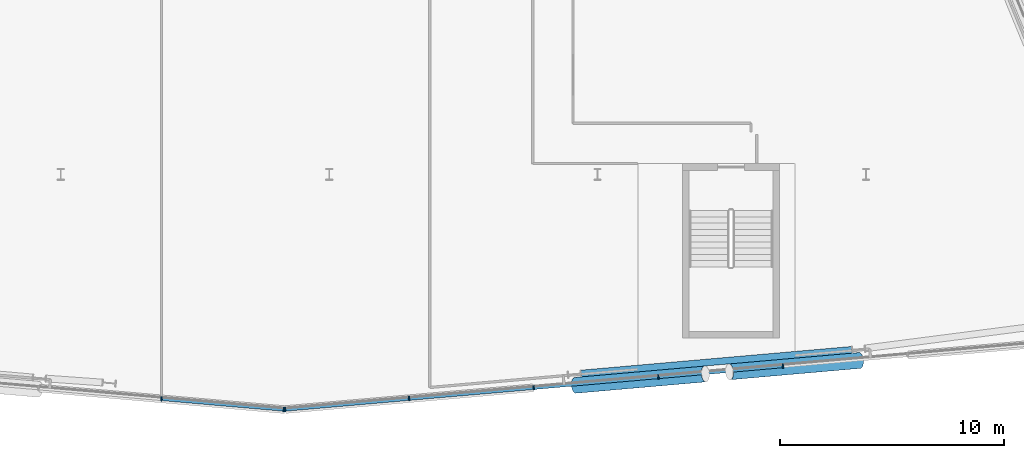
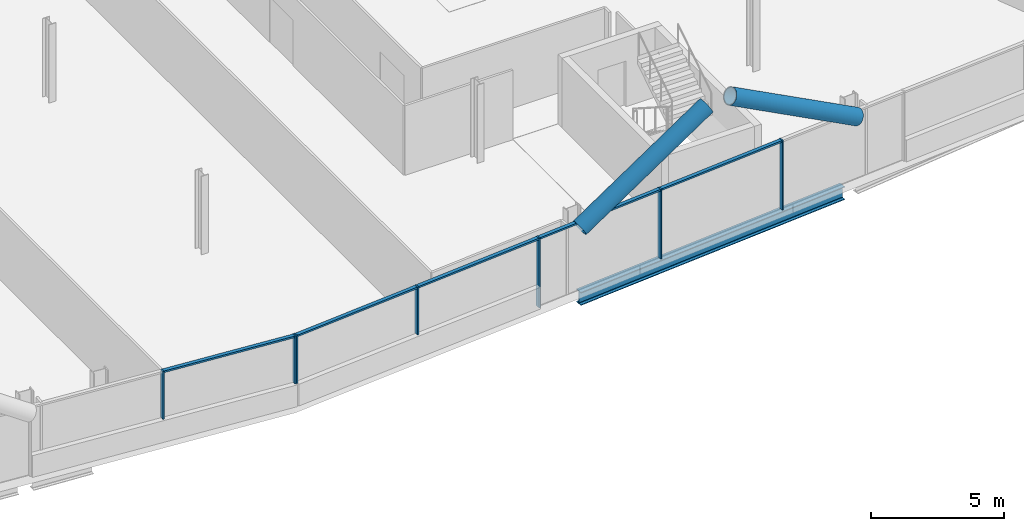
# One storey, part 8 of 26: 14 members, 1 beam, 2 elements without a shape of their own.
"""IFC4 building model written with IfcOpenShell, lengths in metres."""

from ifc_helpers import new_model, si_unit, direction, frame, origin, origin_2d, place, context, subcontext, project, spatial, rectangle, hollow_circle, i_section, extrude, material, material_profile, profile_set, type_object, element, aggregate, save


model = new_model("IFC4")

# Units and contexts
model_context = context("Model", 3, precision=1e-05, world=origin(), true_north=direction((0.0, 1.0)))
body_context = subcontext(model_context, "Body", "Model", "MODEL_VIEW")
ifc_project = project(units=[si_unit("LENGTHUNIT", "METRE"), si_unit("AREAUNIT", "SQUARE_METRE"), si_unit("VOLUMEUNIT", "CUBIC_METRE"), si_unit("PLANEANGLEUNIT", "RADIAN"), si_unit("MASSUNIT", "GRAM", prefix="KILO")], contexts=[model_context])

# Site, building, storey
site_placement = place(None, origin())
site = spatial("IfcSite", under=ifc_project, at=site_placement, CompositionType="ELEMENT")
building_placement = place(site_placement, origin())
building = spatial("IfcBuilding", under=site, at=building_placement, Name="Wharfspan Tower", CompositionType="ELEMENT")
storey_placement = place(building_placement, frame((0.0, 0.0, 177.100098)))
storey = spatial("IfcBuildingStorey", under=building, at=storey_placement, Name="L43", CompositionType="ELEMENT", Elevation=177.100098)

# Beam
ifc_material_1 = material(Name="Steel S355J2", Category="steel")
ifc_material_profile_1 = material_profile(ifc_material_1, i_section(OverallWidth=0.300049, OverallDepth=0.600098, WebThickness=0.015381, FlangeThickness=0.030029, FilletRadius=0.0271, at=origin_2d()))
ifc_profile_set_1 = profile_set([ifc_material_profile_1], Name="Steel S355J2")
beam_type = type_object("IfcBeamType", Name="Edge beam HEB 600", PredefinedType="SPANDREL", material=ifc_profile_set_1)
beam_placement = place(storey_placement, frame((59.265625, 2.600342, -0.700195), z_axis=(0.996195, 0.087155, 0.0), x_axis=(-0.087155, 0.996195, 0.0)))
element("IfcBeam", 1, at=beam_placement, inside=storey, type_object=beam_type, Name="Edge beam S2 L43 PS2.1 to PS2.2", PredefinedType="SPANDREL", context=body_context, shape_type="SweptSolid", body=[
    extrude(i_section(OverallWidth=0.300049, OverallDepth=0.600098, WebThickness=0.015381, FlangeThickness=0.030029, FilletRadius=0.0271, at=origin_2d()), origin(), (0.0, 0.0, 1.0), 12.137695),
])

# Curtain wall, members
ifc_material_2 = material(Name="Aluminium 6063-T6", Category="aluminium")
curtain_wall_type = type_object("IfcCurtainWallType", Name="CURTAIN WALL FACETED FRONT", PredefinedType="NOTDEFINED", material=ifc_material_2)
curtain_wall_1_placement = place(storey_placement, origin())
curtain_wall_1 = element("IfcCurtainWall", 2, at=curtain_wall_1_placement, inside=storey, type_object=curtain_wall_type, Name="Curtain wall S1", PredefinedType="NOTDEFINED")
ifc_material_profile_2 = material_profile(ifc_material_2, rectangle(XDim=0.199951, YDim=0.060059, at=origin_2d()))
ifc_profile_set_2 = profile_set([ifc_material_profile_2], Name="Aluminium 6063-T6")
member_type_1 = type_object("IfcMemberType", Name="MULLION FACETED FRONT 60x200", PredefinedType="MULLION", material=ifc_profile_set_2)
member_1_placement = place(storey_placement, frame((40.5, 1.469238, 1.0), z_axis=(0.0, 0.0, 1.0), x_axis=(0.087156, 0.996198, 0.0)))
member_1 = element("IfcMember", 3, at=member_1_placement, type_object=member_type_1, Name="Curtain wall S1 mullion 6", PredefinedType="MULLION", context=body_context, shape_type="SweptSolid", body=[
    extrude(rectangle(XDim=0.199951, YDim=0.060059, at=origin_2d()), origin(), (0.0, 0.0, 1.0), 2.199951),
])
member_2_placement = place(storey_placement, frame((45.970215, 0.990479, 1.0), z_axis=(0.0, 0.0, 1.0), x_axis=(0.087156, 0.996198, 0.0)))
member_2 = element("IfcMember", 4, at=member_2_placement, type_object=member_type_1, Name="Curtain wall S1 mullion 7", PredefinedType="MULLION", context=body_context, shape_type="SweptSolid", body=[
    extrude(rectangle(XDim=0.199951, YDim=0.060059, at=origin_2d()), origin(), (0.0, 0.0, 1.0), 2.199951),
])

curtain_wall_2_placement = place(storey_placement, origin())
curtain_wall_2 = element("IfcCurtainWall", 5, at=curtain_wall_2_placement, inside=storey, type_object=curtain_wall_type, Name="Curtain wall S2", PredefinedType="NOTDEFINED")
member_3_placement = place(storey_placement, frame((46.029785, 0.990479, 1.0), z_axis=(0.0, 0.0, 1.0), x_axis=(-0.087156, 0.996198, 0.0)))
member_3 = element("IfcMember", 6, at=member_3_placement, type_object=member_type_1, Name="Curtain wall S2 mullion 1", PredefinedType="MULLION", context=body_context, shape_type="SweptSolid", body=[
    extrude(rectangle(XDim=0.199951, YDim=0.060059, at=origin_2d()), origin(), (0.0, 0.0, 1.0), 2.199951),
])
member_4_placement = place(storey_placement, frame((51.571533, 1.475342, 1.0), z_axis=(0.0, 0.0, 1.0), x_axis=(-0.087156, 0.996198, 0.0)))
member_4 = element("IfcMember", 7, at=member_4_placement, type_object=member_type_1, Name="Curtain wall S2 mullion 2", PredefinedType="MULLION", context=body_context, shape_type="SweptSolid", body=[
    extrude(rectangle(XDim=0.199951, YDim=0.060059, at=origin_2d()), origin(), (0.0, 0.0, 1.0), 2.199951),
])
member_5_placement = place(storey_placement, frame((57.142822, 1.962891, 0.0), z_axis=(0.0, 0.0, 1.0), x_axis=(-0.087156, 0.996198, 0.0)))
member_5 = element("IfcMember", 8, at=member_5_placement, type_object=member_type_1, Name="Curtain wall S2 mullion 3", PredefinedType="MULLION", context=body_context, shape_type="SweptSolid", body=[
    extrude(rectangle(XDim=0.199951, YDim=0.060059, at=origin_2d()), origin(), (0.0, 0.0, 1.0), 3.199951),
])
member_6_placement = place(storey_placement, frame((62.714355, 2.450195, 0.0), z_axis=(0.0, 0.0, 1.0), x_axis=(-0.087156, 0.996198, 0.0)))
member_6 = element("IfcMember", 9, at=member_6_placement, type_object=member_type_1, Name="Curtain wall S2 mullion 4", PredefinedType="MULLION", context=body_context, shape_type="SweptSolid", body=[
    extrude(rectangle(XDim=0.199951, YDim=0.060059, at=origin_2d()), origin(), (0.0, 0.0, 1.0), 3.199951),
])
member_7_placement = place(storey_placement, frame((68.285645, 2.937744, 0.0), z_axis=(0.0, 0.0, 1.0), x_axis=(-0.087156, 0.996198, 0.0)))
member_7 = element("IfcMember", 10, at=member_7_placement, type_object=member_type_1, Name="Curtain wall S2 mullion 5", PredefinedType="MULLION", context=body_context, shape_type="SweptSolid", body=[
    extrude(rectangle(XDim=0.199951, YDim=0.060059, at=origin_2d()), origin(), (0.0, 0.0, 1.0), 3.199951),
])

# Members
ifc_material_3 = material(Name="Steel S460NH", Category="steel")
ifc_material_profile_3 = material_profile(ifc_material_3, hollow_circle(Radius=0.355469, WallThickness=0.035889, at=origin_2d()))
ifc_profile_set_3 = profile_set([ifc_material_profile_3], Name="Steel S460NH")
member_type_2 = type_object("IfcMemberType", Name="Mega brace CHS 711x36", PredefinedType="BRACE", material=ifc_profile_set_3)
member_8_placement = place(storey_placement, frame((59.004883, 2.070557, 2.899902), z_axis=(0.867427, 0.07588, 0.491745), x_axis=(-0.087145, 0.996197, 1e-06)))
element("IfcMember", 11, at=member_8_placement, inside=storey, type_object=member_type_2, Name="Mega brace S2 L44 part 1", PredefinedType="BRACE", context=body_context, shape_type="SweptSolid", body=[
    extrude(hollow_circle(Radius=0.355469, WallThickness=0.035889, at=origin_2d()), origin(), (0.0, 0.0, 1.0), 6.695557),
])
member_9_placement = place(storey_placement, frame((71.706055, 3.181641, 2.899902), z_axis=(-0.867436, -0.075878, 0.491729), x_axis=(0.08714, -0.996196, -2e-06)))
element("IfcMember", 12, at=member_9_placement, inside=storey, type_object=member_type_2, Name="Mega brace S2 L44 part 3", PredefinedType="BRACE", context=body_context, shape_type="SweptSolid", body=[
    extrude(hollow_circle(Radius=0.355469, WallThickness=0.035889, at=origin_2d()), origin(), (0.0, 0.0, 1.0), 6.695801),
])

# Member
ifc_material_profile_4 = material_profile(ifc_material_2, rectangle(XDim=0.159912, YDim=0.080078, at=origin_2d()))
ifc_profile_set_4 = profile_set([ifc_material_profile_4], Name="Aluminium 6063-T6")
member_type_3 = type_object("IfcMemberType", Name="TRANSOM FACETED FRONT 80x160", PredefinedType="USERDEFINED", material=ifc_profile_set_4)
member_10_placement = place(storey_placement, frame((40.529785, 1.466553, 3.159912), z_axis=(0.996194, -0.087163, 0.0), x_axis=(0.087163, 0.996194, 0.0)))
member_10 = element("IfcMember", 13, at=member_10_placement, type_object=member_type_3, Name="Curtain wall S1 transom 6", ObjectType="TRANSOM", PredefinedType="USERDEFINED", context=body_context, shape_type="SweptSolid", body=[
    extrude(rectangle(XDim=0.159912, YDim=0.080078, at=origin_2d()), origin(), (0.0, 0.0, 1.0), 5.431152),
])

aggregate(curtain_wall_1, [member_1, member_2, member_10])

member_11_placement = place(storey_placement, frame((46.059814, 0.993164, 3.159912), z_axis=(0.996196, 0.087139, 0.0), x_axis=(-0.087139, 0.996196, 0.0)))
member_11 = element("IfcMember", 14, at=member_11_placement, type_object=member_type_3, Name="Curtain wall S2 transom 1", ObjectType="TRANSOM", PredefinedType="USERDEFINED", context=body_context, shape_type="SweptSolid", body=[
    extrude(rectangle(XDim=0.159912, YDim=0.080078, at=origin_2d()), origin(), (0.0, 0.0, 1.0), 5.502686),
])

member_12_placement = place(storey_placement, frame((51.601318, 1.478027, 3.159912), z_axis=(0.996195, 0.087149, 0.0), x_axis=(-0.087149, 0.996195, 0.0)))
member_12 = element("IfcMember", 15, at=member_12_placement, type_object=member_type_3, Name="Curtain wall S2 transom 2", ObjectType="TRANSOM", PredefinedType="USERDEFINED", context=body_context, shape_type="SweptSolid", body=[
    extrude(rectangle(XDim=0.159912, YDim=0.080078, at=origin_2d()), origin(), (0.0, 0.0, 1.0), 5.532715),
])

member_13_placement = place(storey_placement, frame((57.172852, 1.965332, 3.159912), z_axis=(0.996191, 0.087197, 0.0), x_axis=(-0.087197, 0.996191, 0.0)))
member_13 = element("IfcMember", 16, at=member_13_placement, type_object=member_type_3, Name="Curtain wall S2 transom 3", ObjectType="TRANSOM", PredefinedType="USERDEFINED", context=body_context, shape_type="SweptSolid", body=[
    extrude(rectangle(XDim=0.159912, YDim=0.080078, at=origin_2d()), origin(), (0.0, 0.0, 1.0), 5.532471),
])

member_14_placement = place(storey_placement, frame((62.744141, 2.452881, 3.159912), z_axis=(0.996195, 0.087149, 0.0), x_axis=(-0.087149, 0.996195, 0.0)))
member_14 = element("IfcMember", 17, at=member_14_placement, type_object=member_type_3, Name="Curtain wall S2 transom 4", ObjectType="TRANSOM", PredefinedType="USERDEFINED", context=body_context, shape_type="SweptSolid", body=[
    extrude(rectangle(XDim=0.159912, YDim=0.080078, at=origin_2d()), origin(), (0.0, 0.0, 1.0), 5.532715),
])

aggregate(curtain_wall_2, [member_3, member_4, member_5, member_6, member_7, member_11, member_12, member_13, member_14])

save(model, "model.ifc")
